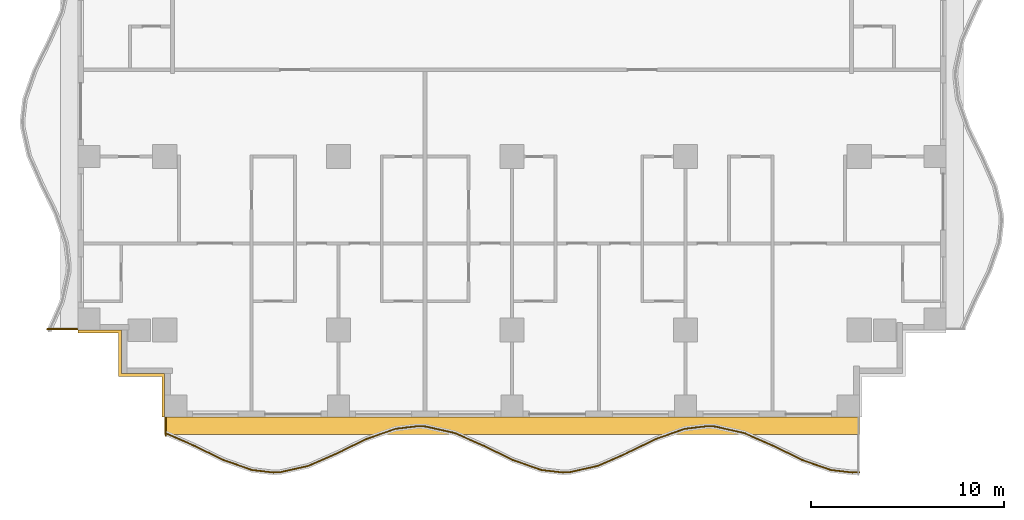
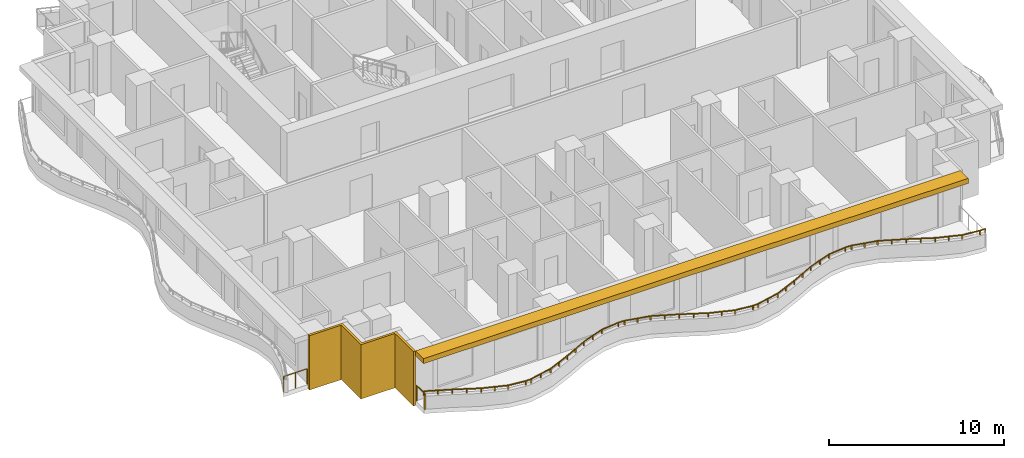
# One storey, part 7 of 10: 3 railings, 2 shading devices.
"""IFC4 building model written with IfcOpenShell, lengths in metres."""

import ifcopenshell
import ifcopenshell.guid

model = None  # the IFC model being written
_history = None  # IfcOwnerHistory: only IFC2X3 demands one
_inside = {}  # id of a spatial element -> (the spatial element, [elements in it])
_under = {}  # id of a project, library or spatial element -> (it, [spatial elements below it])
_declared = {}  # id of a project -> (the project, [libraries it declares])
_typed = {}  # id of a type object -> (the type object, [elements of that type])
_made_of = {}  # id of a material, layer set ... -> (it, [elements and type objects made of it])


def new_model(schema):
    """Start an empty IFC model of exactly this schema.

    Asked for "IFC4X3", IfcOpenShell would pick the latest addendum, in which some entities
    have other attributes; the version numbers below select the first issue.
    IFC2X3 requires an IfcOwnerHistory on every rooted entity: one is made here for all.
    """
    global model, _history
    if schema == "IFC4X3":
        model = ifcopenshell.file(schema_version=(4, 3, 0, 0))
    else:
        model = ifcopenshell.file(schema=schema)
    _inside.clear()
    _under.clear()
    _declared.clear()
    _typed.clear()
    _made_of.clear()
    _history = None
    if model.schema == "IFC2X3":
        org = make("IfcOrganization", Name="unknown")
        user = make(
            "IfcPersonAndOrganization",
            ThePerson=make("IfcPerson", FamilyName="unknown"),
            TheOrganization=org,
        )
        app = make(
            "IfcApplication",
            ApplicationDeveloper=org,
            Version="unknown",
            ApplicationFullName="unknown",
            ApplicationIdentifier="unknown",
        )
        _history = make(
            "IfcOwnerHistory",
            OwningUser=user,
            OwningApplication=app,
            ChangeAction="ADDED",
            CreationDate=0,
        )
    return model


def make(cls, **values):
    """One entity of the class cls with the attributes given. An attribute that is None is left unset."""
    return model.create_entity(
        cls, **{name: value for name, value in values.items() if value is not None}
    )


def rooted(cls, **values):
    """An entity with a GlobalId (a new one), such as an element, a storey or a relation."""
    return make(cls, GlobalId=ifcopenshell.guid.new(), OwnerHistory=_history, **values)


def si_unit(unit_type, name, prefix=None):
    """IfcSIUnit, for example si_unit("LENGTHUNIT", "METRE", prefix="MILLI")."""
    return make("IfcSIUnit", UnitType=unit_type, Prefix=prefix, Name=name)


def assignment(units):
    """IfcUnitAssignment: the units of a project."""
    return None if units is None else make("IfcUnitAssignment", Units=units)


def point(xyz):
    """IfcCartesianPoint."""
    return None if xyz is None else make("IfcCartesianPoint", Coordinates=xyz)


def direction(xyz):
    """IfcDirection."""
    return None if xyz is None else make("IfcDirection", DirectionRatios=xyz)


def frame(location, z_axis=None, x_axis=None):
    """IfcAxis2Placement3D, a coordinate frame: its origin and axes. An axis left out is left unset."""
    return make(
        "IfcAxis2Placement3D",
        Location=point(location),
        Axis=direction(z_axis),
        RefDirection=direction(x_axis),
    )


def frame_2d(location, x_axis=None):
    """IfcAxis2Placement2D, a coordinate frame in the plane: its origin and x axis."""
    return make(
        "IfcAxis2Placement2D", Location=point(location), RefDirection=direction(x_axis)
    )


def origin():
    """The frame at (0, 0, 0) with its axes left unset."""
    return frame((0.0, 0.0, 0.0))


def origin_2d():
    """The frame at (0, 0) in the plane with its x axis left unset."""
    return frame_2d((0.0, 0.0))


def place(relative_to, where):
    """IfcLocalPlacement: puts the frame where relative to a parent placement (None: the world)."""
    return make(
        "IfcLocalPlacement", PlacementRelTo=relative_to, RelativePlacement=where
    )


def context(
    kind, dimensions, precision=None, world=None, true_north=None, identifier=None
):
    """IfcGeometricRepresentationContext, for example the 3D "Model" context."""
    return make(
        "IfcGeometricRepresentationContext",
        ContextIdentifier=identifier,
        ContextType=kind,
        CoordinateSpaceDimension=dimensions,
        Precision=precision,
        WorldCoordinateSystem=world,
        TrueNorth=true_north,
    )


def subcontext(parent, identifier, kind, view, scale=None):
    """IfcGeometricRepresentationSubContext, for example "Body" below "Model"."""
    return make(
        "IfcGeometricRepresentationSubContext",
        ContextIdentifier=identifier,
        ContextType=kind,
        ParentContext=parent,
        TargetScale=scale,
        TargetView=view,
    )


def project(units=None, contexts=None):
    """IfcProject with its units and contexts."""
    return rooted(
        "IfcProject",
        Name="project",
        RepresentationContexts=contexts,
        UnitsInContext=assignment(units),
    )


def spatial(cls, under=None, at=None, **own):
    """A site, building, storey or space (cls), placed at a placement, below another one or the project."""
    s = rooted(cls, ObjectPlacement=at, **own)
    if under is not None:
        _under.setdefault(under.id(), (under, []))[1].append(s)
    return s


def polyline(points):
    """IfcPolyline through the points."""
    return make("IfcPolyline", Points=[point(p) for p in points])


def profile(cls, at=None, kind="AREA", **sizes):
    """A parametric profile (cls). Its sizes go by their IFC names, for example OverallWidth=200.0."""
    return make(cls, ProfileType=kind, Position=at, **sizes)


def rectangle(**sizes):
    """IfcRectangleProfileDef."""
    return profile("IfcRectangleProfileDef", **sizes)


def outline(outer, holes=None, kind="AREA"):
    """IfcArbitraryClosedProfileDef: a profile drawn as a closed curve; with holes, ...WithVoids."""
    if holes is None:
        return make("IfcArbitraryClosedProfileDef", ProfileType=kind, OuterCurve=outer)
    return make(
        "IfcArbitraryProfileDefWithVoids",
        ProfileType=kind,
        OuterCurve=outer,
        InnerCurves=holes,
    )


def extrude(swept, where, along, depth):
    """IfcExtrudedAreaSolid: the profile swept, set in the frame where, extruded along a direction by depth."""
    return make(
        "IfcExtrudedAreaSolid",
        SweptArea=swept,
        Position=where,
        ExtrudedDirection=direction(along),
        Depth=depth,
    )


def shape(context_of_items, identifier, shape_type, items):
    """IfcShapeRepresentation: the items that make up one representation, for example the "Body"."""
    return make(
        "IfcShapeRepresentation",
        ContextOfItems=context_of_items,
        RepresentationIdentifier=identifier,
        RepresentationType=shape_type,
        Items=items,
    )


def material(Name=None, Category=None):
    """IfcMaterial."""
    return make("IfcMaterial", Name=Name, Category=Category)


def layer(
    of_material, thickness, ventilated=None, Name=None, Category=None, Priority=None
):
    """IfcMaterialLayer: one layer of a wall or slab, of a material (None: an air gap)."""
    return make(
        "IfcMaterialLayer",
        Material=of_material,
        LayerThickness=thickness,
        IsVentilated=ventilated,
        Name=Name,
        Category=Category,
        Priority=Priority,
    )


def layer_set(layers, Name=None):
    """IfcMaterialLayerSet."""
    return make("IfcMaterialLayerSet", MaterialLayers=layers, LayerSetName=Name)


def made_of(thing, what):
    """Note that an element or type object is made of a material, layer set ...; save() writes the relation."""
    if what is not None:
        _made_of.setdefault(what.id(), (what, []))[1].append(thing)
    return thing


def type_object(cls, material=None, **own):
    """A type object (cls), such as IfcWallType, which elements share."""
    return made_of(rooted(cls, **own), material)


def element(
    cls,
    number,
    at=None,
    inside=None,
    cuts=None,
    type_object=None,
    material=None,
    context=None,
    identifier="Body",
    shape_type=None,
    held_by="IfcProductDefinitionShape",
    body=None,
    shapes=None,
    **own,
):
    """One element of the class cls, such as IfcWall. Its Tag is "e" and its number.

    at: its placement. inside: the storey or other place that contains it. cuts: it is an
    opening in that element (IfcRelVoidsElement). A single representation is given by context,
    identifier, shape_type and body (its items); several are given by shapes. held_by: the class
    of the entity that holds the representations. save() writes the other relations.
    """
    e = rooted(cls, Tag="e%d" % number, ObjectPlacement=at, **own)
    if body is not None:
        shapes = [shape(context, identifier, shape_type, body)]
    if shapes is not None:
        e.Representation = make(held_by, Representations=shapes)
    if inside is not None:
        _inside.setdefault(inside.id(), (inside, []))[1].append(e)
    if cuts is not None:
        rooted(
            "IfcRelVoidsElement", RelatingBuildingElement=cuts, RelatedOpeningElement=e
        )
    if type_object is not None:
        _typed.setdefault(type_object.id(), (type_object, []))[1].append(e)
    return made_of(e, material)


def aggregate(whole, parts):
    """IfcRelAggregates: a whole, such as a stair, and the parts it consists of."""
    return rooted("IfcRelAggregates", RelatingObject=whole, RelatedObjects=parts)


def save(model, path):
    """Write the relations noted so far, then the file.

    IfcRelAggregates (storeys below a building ...), IfcRelContainedInSpatialStructure (elements
    in a storey), IfcRelDefinesByType, IfcRelAssociatesMaterial and IfcRelDeclares: one each for
    every whole, place, type object, material and project.
    """
    for whole, parts in _under.values():
        aggregate(whole, parts)
    for where, things in _inside.values():
        rooted(
            "IfcRelContainedInSpatialStructure",
            RelatedElements=things,
            RelatingStructure=where,
        )
    for kind, things in _typed.values():
        rooted("IfcRelDefinesByType", RelatedObjects=things, RelatingType=kind)
    for what, things in _made_of.values():
        rooted("IfcRelAssociatesMaterial", RelatedObjects=things, RelatingMaterial=what)
    for by, libraries in _declared.values():
        rooted("IfcRelDeclares", RelatingContext=by, RelatedDefinitions=libraries)
    model.write(path)


model = new_model("IFC4")

# Units and contexts
model_context = context("Model", 3, precision=1e-05, world=origin(), true_north=direction((0.0, 1.0)))
body_context = subcontext(model_context, "Body", "Model", "MODEL_VIEW")
ifc_project = project(units=[si_unit("LENGTHUNIT", "METRE"), si_unit("AREAUNIT", "SQUARE_METRE"), si_unit("VOLUMEUNIT", "CUBIC_METRE"), si_unit("PLANEANGLEUNIT", "RADIAN"), si_unit("MASSUNIT", "GRAM", prefix="KILO")], contexts=[model_context])

# Site, building, storey
site_placement = place(None, origin())
site = spatial("IfcSite", under=ifc_project, at=site_placement, CompositionType="ELEMENT")
building_placement = place(site_placement, origin())
building = spatial("IfcBuilding", under=site, at=building_placement, Name="Orbiselva Terraces", CompositionType="ELEMENT")
storey_placement = place(building_placement, frame((0.0, 0.0, 140.2)))
storey = spatial("IfcBuildingStorey", under=building, at=storey_placement, Name="L35", CompositionType="ELEMENT", Elevation=140.2)

# Railings
ifc_material_1 = material(Name="Bonded two-ply safety glass balustrade, stainless steel posts", Category="steel")
railing_type_1 = type_object("IfcRailingType", Name="ENV-BALUSTRADE-1200", PredefinedType="BALUSTRADE", material=ifc_material_1)
railing_1_placement = place(storey_placement, frame((-17.949606, -18.83708, 0.9)))
element("IfcRailing", 1, at=railing_1_placement, inside=storey, type_object=railing_type_1, Name="Balcony balustrade L35 S", PredefinedType="BALUSTRADE", context=body_context, shape_type="SweptSolid", body=[
    extrude(outline(polyline([(0.028868, 0.0), (0.014434, 0.025), (-0.014434, 0.025), (-0.028868, 0.0), (-0.014434, -0.025), (0.014434, -0.025), (0.028868, 0.0)])), frame((0.0, 0.0, 0.275), z_axis=(0.915133394491, -0.403151175476, 0.0), x_axis=(0.403151175476, 0.915133394491, 0.0)), (0.0, 0.0, 1.0), 1.641563),
    extrude(outline(polyline([(0.028868, 0.0), (0.014434, 0.025), (-0.014434, 0.025), (-0.028868, 0.0), (-0.014434, -0.025), (0.014434, -0.025), (0.028868, 0.0)])), frame((1.502249, -0.661798, 0.275), z_axis=(0.89857890432, -0.438811978768, 0.0), x_axis=(0.438811978768, 0.89857890432, 0.0)), (0.0, 0.0, 1.0), 1.66438),
    extrude(outline(polyline([(0.028868, 0.0), (0.014434, 0.025), (-0.014434, 0.025), (-0.028868, 0.0), (-0.014434, -0.025), (0.014434, -0.025), (0.028868, 0.0)])), frame((2.997826, -1.392148, 0.275), z_axis=(0.943972277814, -0.330024754707, 0.0), x_axis=(0.330024754707, 0.943972277814, 0.0)), (0.0, 0.0, 1.0), 1.567807),
    extrude(outline(polyline([(0.028868, 0.0), (0.014434, 0.025), (-0.014434, 0.025), (-0.028868, 0.0), (-0.014434, -0.025), (0.014434, -0.025), (0.028868, 0.0)])), frame((4.477792, -1.909563, 0.275), z_axis=(0.993309658409, -0.115481264762, 0.0), x_axis=(0.115481264762, 0.993309658409, 0.0)), (0.0, 0.0, 1.0), 1.10902),
    extrude(outline(polyline([(0.028868, 0.0), (0.014434, 0.025), (-0.014434, 0.025), (-0.028868, 0.0), (-0.014434, -0.025), (0.014434, -0.025), (0.028868, 0.0)])), frame((5.579392, -2.037634, 0.275), z_axis=(0.999224931454, 0.039364150694, 0.0), x_axis=(-0.039364150694, 0.999224931454, 0.0)), (0.0, 0.0, 1.0), 0.354206),
    extrude(outline(polyline([(0.028868, 0.0), (0.014434, 0.025), (-0.014434, 0.025), (-0.028868, 0.0), (-0.014434, -0.025), (0.014434, -0.025), (0.028868, 0.0)])), frame((5.933323, -2.023691, 0.275), z_axis=(0.975721325753, 0.219015740235, 0.0), x_axis=(-0.219015740235, 0.975721325753, 0.0)), (0.0, 0.0, 1.0), 1.513782),
    extrude(outline(polyline([(0.028868, 0.0), (0.014434, 0.025), (-0.014434, 0.025), (-0.028868, 0.0), (-0.014434, -0.025), (0.014434, -0.025), (0.028868, 0.0)])), frame((7.410352, -1.692149, 0.275), z_axis=(0.915133363686, 0.403151245402, 0.0), x_axis=(-0.403151245402, 0.915133363686, 0.0)), (0.0, 0.0, 1.0), 1.624475),
    extrude(outline(polyline([(0.028868, 0.0), (0.014434, 0.025), (-0.014434, 0.025), (-0.028868, 0.0), (-0.014434, -0.025), (0.014434, -0.025), (0.028868, 0.0)])), frame((8.896963, -1.03724, 0.275), z_axis=(0.898578870221, 0.438812048596, 0.0), x_axis=(-0.438812048596, 0.898578870221, 0.0)), (0.0, 0.0, 1.0), 1.674225),
    extrude(outline(polyline([(0.028868, 0.0), (0.014434, 0.025), (-0.014434, 0.025), (-0.028868, 0.0), (-0.014434, -0.025), (0.014434, -0.025), (0.028868, 0.0)])), frame((10.401386, -0.30257, 0.275), z_axis=(0.943972332783, 0.330024597479, 0.0), x_axis=(-0.330024597479, 0.943972332783, 0.0)), (0.0, 0.0, 1.0), 1.610253),
    extrude(outline(polyline([(0.028868, 0.0), (0.014434, 0.025), (-0.014434, 0.025), (-0.028868, 0.0), (-0.014434, -0.025), (0.014434, -0.025), (0.028868, 0.0)])), frame((11.92142, 0.228853, 0.275), z_axis=(0.993309551734, 0.115482182324, 0.0), x_axis=(-0.115482182324, 0.993309551734, 0.0)), (0.0, 0.0, 1.0), 1.156135),
    extrude(outline(polyline([(0.028868, 0.0), (0.014434, 0.025), (-0.014434, 0.025), (-0.028868, 0.0), (-0.014434, -0.025), (0.014434, -0.025), (0.028868, 0.0)])), frame((13.06982, 0.362366, 0.275), z_axis=(0.999224734286, -0.03936915532, 0.0), x_axis=(0.03936915532, 0.999224734286, 0.0)), (0.0, 0.0, 1.0), 0.396376),
    extrude(outline(polyline([(0.028868, 0.0), (0.014434, 0.025), (-0.014434, 0.025), (-0.028868, 0.0), (-0.014434, -0.025), (0.014434, -0.025), (0.028868, 0.0)])), frame((13.465889, 0.346761, 0.275), z_axis=(0.97572137947, -0.219015500924, 0.0), x_axis=(0.219015500924, 0.97572137947, 0.0)), (0.0, 0.0, 1.0), 1.560867),
    extrude(outline(polyline([(0.028868, 0.0), (0.014434, 0.025), (-0.014434, 0.025), (-0.028868, 0.0), (-0.014434, -0.025), (0.014434, -0.025), (0.028868, 0.0)])), frame((14.98886, 0.004907, 0.275), z_axis=(0.915133527237, -0.403150874148, 0.0), x_axis=(0.403150874148, 0.915133527237, 0.0)), (0.0, 0.0, 1.0), 1.653736),
    extrude(outline(polyline([(0.028868, 0.0), (0.014434, 0.025), (-0.014434, 0.025), (-0.028868, 0.0), (-0.014434, -0.025), (0.014434, -0.025), (0.028868, 0.0)])), frame((16.502249, -0.661798, 0.275), z_axis=(0.89857890432, -0.438811978768, 0.0), x_axis=(0.438811978768, 0.89857890432, 0.0)), (0.0, 0.0, 1.0), 1.66438),
    extrude(outline(polyline([(0.028868, 0.0), (0.014434, 0.025), (-0.014434, 0.025), (-0.028868, 0.0), (-0.014434, -0.025), (0.014434, -0.025), (0.028868, 0.0)])), frame((17.997826, -1.392148, 0.275), z_axis=(0.943972277814, -0.330024754707, 0.0), x_axis=(0.330024754707, 0.943972277814, 0.0)), (0.0, 0.0, 1.0), 1.567807),
    extrude(outline(polyline([(0.028868, 0.0), (0.014434, 0.025), (-0.014434, 0.025), (-0.028868, 0.0), (-0.014434, -0.025), (0.014434, -0.025), (0.028868, 0.0)])), frame((19.477792, -1.909563, 0.275), z_axis=(0.993309658409, -0.115481264762, 0.0), x_axis=(0.115481264762, 0.993309658409, 0.0)), (0.0, 0.0, 1.0), 1.10902),
    extrude(outline(polyline([(0.028868, 0.0), (0.014434, 0.025), (-0.014434, 0.025), (-0.028868, 0.0), (-0.014434, -0.025), (0.014434, -0.025), (0.028868, 0.0)])), frame((20.579392, -2.037634, 0.275), z_axis=(0.999224931454, 0.039364150694, 0.0), x_axis=(-0.039364150694, 0.999224931454, 0.0)), (0.0, 0.0, 1.0), 0.354206),
    extrude(outline(polyline([(0.028868, 0.0), (0.014434, 0.025), (-0.014434, 0.025), (-0.028868, 0.0), (-0.014434, -0.025), (0.014434, -0.025), (0.028868, 0.0)])), frame((20.933323, -2.023691, 0.275), z_axis=(0.975721325753, 0.219015740235, 0.0), x_axis=(-0.219015740235, 0.975721325753, 0.0)), (0.0, 0.0, 1.0), 1.513782),
    extrude(outline(polyline([(0.028868, 0.0), (0.014434, 0.025), (-0.014434, 0.025), (-0.028868, 0.0), (-0.014434, -0.025), (0.014434, -0.025), (0.028868, 0.0)])), frame((22.410352, -1.692149, 0.275), z_axis=(0.915133363686, 0.403151245402, 0.0), x_axis=(-0.403151245402, 0.915133363686, 0.0)), (0.0, 0.0, 1.0), 1.624475),
    extrude(outline(polyline([(0.028868, 0.0), (0.014434, 0.025), (-0.014434, 0.025), (-0.028868, 0.0), (-0.014434, -0.025), (0.014434, -0.025), (0.028868, 0.0)])), frame((23.896963, -1.03724, 0.275), z_axis=(0.898578870221, 0.438812048596, 0.0), x_axis=(-0.438812048596, 0.898578870221, 0.0)), (0.0, 0.0, 1.0), 1.674225),
    extrude(outline(polyline([(0.028868, 0.0), (0.014434, 0.025), (-0.014434, 0.025), (-0.028868, 0.0), (-0.014434, -0.025), (0.014434, -0.025), (0.028868, 0.0)])), frame((25.401386, -0.30257, 0.275), z_axis=(0.943972332783, 0.330024597479, 0.0), x_axis=(-0.330024597479, 0.943972332783, 0.0)), (0.0, 0.0, 1.0), 1.610253),
    extrude(outline(polyline([(0.028868, 0.0), (0.014434, 0.025), (-0.014434, 0.025), (-0.028868, 0.0), (-0.014434, -0.025), (0.014434, -0.025), (0.028868, 0.0)])), frame((26.92142, 0.228853, 0.275), z_axis=(0.993309551734, 0.115482182324, 0.0), x_axis=(-0.115482182324, 0.993309551734, 0.0)), (0.0, 0.0, 1.0), 1.156135),
    extrude(outline(polyline([(0.028868, 0.0), (0.014434, 0.025), (-0.014434, 0.025), (-0.028868, 0.0), (-0.014434, -0.025), (0.014434, -0.025), (0.028868, 0.0)])), frame((28.06982, 0.362366, 0.275), z_axis=(0.999224734286, -0.03936915532, 0.0), x_axis=(0.03936915532, 0.999224734286, 0.0)), (0.0, 0.0, 1.0), 0.396376),
    extrude(outline(polyline([(0.028868, 0.0), (0.014434, 0.025), (-0.014434, 0.025), (-0.028868, 0.0), (-0.014434, -0.025), (0.014434, -0.025), (0.028868, 0.0)])), frame((28.465889, 0.346761, 0.275), z_axis=(0.97572137947, -0.219015500924, 0.0), x_axis=(0.219015500924, 0.97572137947, 0.0)), (0.0, 0.0, 1.0), 1.560867),
    extrude(outline(polyline([(0.028868, 0.0), (0.014434, 0.025), (-0.014434, 0.025), (-0.028868, 0.0), (-0.014434, -0.025), (0.014434, -0.025), (0.028868, 0.0)])), frame((29.98886, 0.004907, 0.275), z_axis=(0.915133527237, -0.403150874148, 0.0), x_axis=(0.403150874148, 0.915133527237, 0.0)), (0.0, 0.0, 1.0), 1.653736),
    extrude(outline(polyline([(0.028868, 0.0), (0.014434, 0.025), (-0.014434, 0.025), (-0.028868, 0.0), (-0.014434, -0.025), (0.014434, -0.025), (0.028868, 0.0)])), frame((31.502249, -0.661798, 0.275), z_axis=(0.89857890432, -0.438811978768, 0.0), x_axis=(0.438811978768, 0.89857890432, 0.0)), (0.0, 0.0, 1.0), 1.66438),
    extrude(outline(polyline([(0.028868, 0.0), (0.014434, 0.025), (-0.014434, 0.025), (-0.028868, 0.0), (-0.014434, -0.025), (0.014434, -0.025), (0.028868, 0.0)])), frame((32.997826, -1.392148, 0.275), z_axis=(0.943972277814, -0.330024754707, 0.0), x_axis=(0.330024754707, 0.943972277814, 0.0)), (0.0, 0.0, 1.0), 1.567807),
    extrude(outline(polyline([(0.028868, 0.0), (0.014434, 0.025), (-0.014434, 0.025), (-0.028868, 0.0), (-0.014434, -0.025), (0.014434, -0.025), (0.028868, 0.0)])), frame((34.477792, -1.909563, 0.275), z_axis=(0.993309658409, -0.115481264762, 0.0), x_axis=(0.115481264762, 0.993309658409, 0.0)), (0.0, 0.0, 1.0), 1.10902),
    extrude(outline(polyline([(0.028868, 0.0), (0.014434, 0.025), (-0.014434, 0.025), (-0.028868, 0.0), (-0.014434, -0.025), (0.014434, -0.025), (0.028868, 0.0)])), frame((35.579392, -2.037634, 0.275), z_axis=(0.999224888675, 0.039365236599, 0.0), x_axis=(-0.039365236599, 0.999224888675, 0.0)), (0.0, 0.0, 1.0), 0.365576),
    extrude(rectangle(XDim=0.05, YDim=0.05, at=origin_2d()), origin(), (0.0, 0.0, 1.0), 0.25),
    extrude(rectangle(XDim=0.05, YDim=0.05, at=origin_2d()), frame((0.751124, -0.330899, 0.0)), (0.0, 0.0, 1.0), 0.25),
    extrude(rectangle(XDim=0.05, YDim=0.05, at=origin_2d()), frame((1.502249, -0.661798, 0.0)), (0.0, 0.0, 1.0), 0.25),
    extrude(rectangle(XDim=0.05, YDim=0.05, at=origin_2d()), frame((2.250037, -1.026973, 0.0)), (0.0, 0.0, 1.0), 0.25),
    extrude(rectangle(XDim=0.05, YDim=0.05, at=origin_2d()), frame((2.997826, -1.392148, 0.0)), (0.0, 0.0, 1.0), 0.25),
    extrude(rectangle(XDim=0.05, YDim=0.05, at=origin_2d()), frame((3.737809, -1.650855, 0.0)), (0.0, 0.0, 1.0), 0.25),
    extrude(rectangle(XDim=0.05, YDim=0.05, at=origin_2d()), frame((4.477792, -1.909563, 0.0)), (0.0, 0.0, 1.0), 0.25),
    extrude(rectangle(XDim=0.05, YDim=0.05, at=origin_2d()), frame((5.579392, -2.037634, 0.0)), (0.0, 0.0, 1.0), 0.25),
    extrude(rectangle(XDim=0.05, YDim=0.05, at=origin_2d()), frame((5.933323, -2.023691, 0.0)), (0.0, 0.0, 1.0), 0.25),
    extrude(rectangle(XDim=0.05, YDim=0.05, at=origin_2d()), frame((6.671838, -1.85792, 0.0)), (0.0, 0.0, 1.0), 0.25),
    extrude(rectangle(XDim=0.05, YDim=0.05, at=origin_2d()), frame((7.410352, -1.692149, 0.0)), (0.0, 0.0, 1.0), 0.25),
    extrude(rectangle(XDim=0.05, YDim=0.05, at=origin_2d()), frame((8.153658, -1.364695, 0.0)), (0.0, 0.0, 1.0), 0.25),
    extrude(rectangle(XDim=0.05, YDim=0.05, at=origin_2d()), frame((8.896963, -1.03724, 0.0)), (0.0, 0.0, 1.0), 0.25),
    extrude(rectangle(XDim=0.05, YDim=0.05, at=origin_2d()), frame((9.649174, -0.669905, 0.0)), (0.0, 0.0, 1.0), 0.25),
    extrude(rectangle(XDim=0.05, YDim=0.05, at=origin_2d()), frame((10.401386, -0.30257, 0.0)), (0.0, 0.0, 1.0), 0.25),
    extrude(rectangle(XDim=0.05, YDim=0.05, at=origin_2d()), frame((11.161403, -0.036858, 0.0)), (0.0, 0.0, 1.0), 0.25),
    extrude(rectangle(XDim=0.05, YDim=0.05, at=origin_2d()), frame((11.92142, 0.228853, 0.0)), (0.0, 0.0, 1.0), 0.25),
    extrude(rectangle(XDim=0.05, YDim=0.05, at=origin_2d()), frame((13.06982, 0.362366, 0.0)), (0.0, 0.0, 1.0), 0.25),
    extrude(rectangle(XDim=0.05, YDim=0.05, at=origin_2d()), frame((13.465889, 0.346761, 0.0)), (0.0, 0.0, 1.0), 0.25),
    extrude(rectangle(XDim=0.05, YDim=0.05, at=origin_2d()), frame((14.227374, 0.175834, 0.0)), (0.0, 0.0, 1.0), 0.25),
    extrude(rectangle(XDim=0.05, YDim=0.05, at=origin_2d()), frame((14.98886, 0.004907, 0.0)), (0.0, 0.0, 1.0), 0.25),
    extrude(rectangle(XDim=0.05, YDim=0.05, at=origin_2d()), frame((15.745554, -0.328446, 0.0)), (0.0, 0.0, 1.0), 0.25),
    extrude(rectangle(XDim=0.05, YDim=0.05, at=origin_2d()), frame((16.502249, -0.661798, 0.0)), (0.0, 0.0, 1.0), 0.25),
    extrude(rectangle(XDim=0.05, YDim=0.05, at=origin_2d()), frame((17.250037, -1.026973, 0.0)), (0.0, 0.0, 1.0), 0.25),
    extrude(rectangle(XDim=0.05, YDim=0.05, at=origin_2d()), frame((17.997826, -1.392148, 0.0)), (0.0, 0.0, 1.0), 0.25),
    extrude(rectangle(XDim=0.05, YDim=0.05, at=origin_2d()), frame((18.737809, -1.650855, 0.0)), (0.0, 0.0, 1.0), 0.25),
    extrude(rectangle(XDim=0.05, YDim=0.05, at=origin_2d()), frame((19.477792, -1.909563, 0.0)), (0.0, 0.0, 1.0), 0.25),
    extrude(rectangle(XDim=0.05, YDim=0.05, at=origin_2d()), frame((20.579392, -2.037634, 0.0)), (0.0, 0.0, 1.0), 0.25),
    extrude(rectangle(XDim=0.05, YDim=0.05, at=origin_2d()), frame((20.933323, -2.023691, 0.0)), (0.0, 0.0, 1.0), 0.25),
    extrude(rectangle(XDim=0.05, YDim=0.05, at=origin_2d()), frame((21.671838, -1.85792, 0.0)), (0.0, 0.0, 1.0), 0.25),
    extrude(rectangle(XDim=0.05, YDim=0.05, at=origin_2d()), frame((22.410352, -1.692149, 0.0)), (0.0, 0.0, 1.0), 0.25),
    extrude(rectangle(XDim=0.05, YDim=0.05, at=origin_2d()), frame((23.153658, -1.364695, 0.0)), (0.0, 0.0, 1.0), 0.25),
    extrude(rectangle(XDim=0.05, YDim=0.05, at=origin_2d()), frame((23.896963, -1.03724, 0.0)), (0.0, 0.0, 1.0), 0.25),
    extrude(rectangle(XDim=0.05, YDim=0.05, at=origin_2d()), frame((24.649174, -0.669905, 0.0)), (0.0, 0.0, 1.0), 0.25),
    extrude(rectangle(XDim=0.05, YDim=0.05, at=origin_2d()), frame((25.401386, -0.30257, 0.0)), (0.0, 0.0, 1.0), 0.25),
    extrude(rectangle(XDim=0.05, YDim=0.05, at=origin_2d()), frame((26.161403, -0.036858, 0.0)), (0.0, 0.0, 1.0), 0.25),
    extrude(rectangle(XDim=0.05, YDim=0.05, at=origin_2d()), frame((26.92142, 0.228853, 0.0)), (0.0, 0.0, 1.0), 0.25),
    extrude(rectangle(XDim=0.05, YDim=0.05, at=origin_2d()), frame((28.06982, 0.362366, 0.0)), (0.0, 0.0, 1.0), 0.25),
    extrude(rectangle(XDim=0.05, YDim=0.05, at=origin_2d()), frame((28.465889, 0.346761, 0.0)), (0.0, 0.0, 1.0), 0.25),
    extrude(rectangle(XDim=0.05, YDim=0.05, at=origin_2d()), frame((29.227374, 0.175834, 0.0)), (0.0, 0.0, 1.0), 0.25),
    extrude(rectangle(XDim=0.05, YDim=0.05, at=origin_2d()), frame((29.98886, 0.004907, 0.0)), (0.0, 0.0, 1.0), 0.25),
    extrude(rectangle(XDim=0.05, YDim=0.05, at=origin_2d()), frame((30.745554, -0.328446, 0.0)), (0.0, 0.0, 1.0), 0.25),
    extrude(rectangle(XDim=0.05, YDim=0.05, at=origin_2d()), frame((31.502249, -0.661798, 0.0)), (0.0, 0.0, 1.0), 0.25),
    extrude(rectangle(XDim=0.05, YDim=0.05, at=origin_2d()), frame((32.250038, -1.026973, 0.0)), (0.0, 0.0, 1.0), 0.25),
    extrude(rectangle(XDim=0.05, YDim=0.05, at=origin_2d()), frame((32.997826, -1.392148, 0.0)), (0.0, 0.0, 1.0), 0.25),
    extrude(rectangle(XDim=0.05, YDim=0.05, at=origin_2d()), frame((33.737809, -1.650855, 0.0)), (0.0, 0.0, 1.0), 0.25),
    extrude(rectangle(XDim=0.05, YDim=0.05, at=origin_2d()), frame((34.477792, -1.909563, 0.0)), (0.0, 0.0, 1.0), 0.25),
    extrude(rectangle(XDim=0.05, YDim=0.05, at=origin_2d()), frame((35.579392, -2.037634, 0.0)), (0.0, 0.0, 1.0), 0.25),
    extrude(rectangle(XDim=0.05, YDim=0.05, at=origin_2d()), frame((35.944685, -2.023243, 0.0)), (0.0, 0.0, 1.0), 0.25),
])
ifc_material_2 = material(Name="Stainless steel rail and posts", Category="steel")
railing_type_2 = type_object("IfcRailingType", Name="ENV-GUARD-1105", PredefinedType="BALUSTRADE", material=ifc_material_2)
railing_2_placement = place(storey_placement, frame((-17.94, -18.973063, 0.0)))
element("IfcRailing", 2, at=railing_2_placement, inside=storey, type_object=railing_type_2, Name="Balcony end guard L35 S", PredefinedType="BALUSTRADE", context=body_context, shape_type="SweptSolid", body=[
    extrude(outline(polyline([(0.028868, 0.0), (0.014434, 0.025), (-0.014434, 0.025), (-0.028868, 0.0), (-0.014434, -0.025), (0.014434, -0.025), (0.028868, 0.0)])), frame((0.0, 0.0, 1.08), z_axis=(0.0, 1.0, 0.0), x_axis=(-1.0, 0.0, 0.0)), (0.0, 0.0, 1.0), 0.948063),
    extrude(rectangle(XDim=0.05, YDim=0.05, at=origin_2d()), origin(), (0.0, 0.0, 1.0), 1.055),
    extrude(rectangle(XDim=0.05, YDim=0.05, at=origin_2d()), frame((0.0, 0.948063, 0.0)), (0.0, 0.0, 1.0), 1.055),
])
railing_3_placement = place(storey_placement, frame((-24.082553, -13.44, 0.0)))
element("IfcRailing", 3, at=railing_3_placement, inside=storey, type_object=railing_type_2, Name="Balcony end guard L35 W", PredefinedType="BALUSTRADE", context=body_context, shape_type="SweptSolid", body=[
    extrude(outline(polyline([(0.028868, 0.0), (0.014434, 0.025), (-0.014434, 0.025), (-0.028868, 0.0), (-0.014434, -0.025), (0.014434, -0.025), (0.028868, 0.0)])), frame((0.0, 0.0, 1.08), z_axis=(1.0, 0.0, 0.0), x_axis=(0.0, 1.0, 0.0)), (0.0, 0.0, 1.0), 1.557553),
    extrude(rectangle(XDim=0.05, YDim=0.05, at=origin_2d()), origin(), (0.0, 0.0, 1.0), 1.055),
    extrude(rectangle(XDim=0.05, YDim=0.05, at=origin_2d()), frame((0.778777, 0.0, 0.0)), (0.0, 0.0, 1.0), 1.055),
    extrude(rectangle(XDim=0.05, YDim=0.05, at=origin_2d()), frame((1.557553, 0.0, 0.0)), (0.0, 0.0, 1.0), 1.055),
])

# Shading devices
ifc_material_3 = material(Name="Terracotta louvre screen", Category="masonry")
ifc_layer_1 = layer(ifc_material_3, 0.15)
ifc_layer_set_1 = layer_set([ifc_layer_1], Name="Terracotta louvre screen")
shading_device_type_1 = type_object("IfcShadingDeviceType", Name="ENV-SCREEN-150", PredefinedType="USERDEFINED", material=ifc_layer_set_1)
shading_device_1_placement = place(storey_placement, frame((0.0, 0.0, -0.3)))
element("IfcShadingDevice", 4, at=shading_device_1_placement, inside=storey, type_object=shading_device_type_1, Name="Louvre screen L35 SW", ObjectType="SCREEN", PredefinedType="USERDEFINED", context=body_context, shape_type="SweptSolid", body=[
    extrude(outline(polyline([(-22.5, -13.65), (-20.4, -13.65), (-20.4, -15.9), (-18.15, -15.9), (-18.15, -18.0), (-18.0, -18.0), (-18.0, -15.75), (-20.25, -15.75), (-20.25, -13.5), (-22.5, -13.5), (-22.5, -13.65)])), origin(), (0.0, 0.0, 1.0), 3.8),
])
ifc_material_4 = material(Name="Terracotta baguette sunshade", Category="masonry")
ifc_layer_2 = layer(ifc_material_4, 0.35)
ifc_layer_set_2 = layer_set([ifc_layer_2], Name="Terracotta baguette sunshade")
shading_device_type_2 = type_object("IfcShadingDeviceType", Name="ENV-SUNSHADE-900x350", PredefinedType="USERDEFINED", material=ifc_layer_set_2)
shading_device_2_placement = place(storey_placement, frame((0.0, 0.0, 3.15)))
element("IfcShadingDevice", 5, at=shading_device_2_placement, inside=storey, type_object=shading_device_type_2, Name="Sunshade band L35 S", ObjectType="SUNSHADE", PredefinedType="USERDEFINED", context=body_context, shape_type="SweptSolid", body=[
    extrude(outline(polyline([(-18.0, -18.9), (18.0, -18.9), (18.0, -18.0), (-18.0, -18.0), (-18.0, -18.9)])), origin(), (0.0, 0.0, 1.0), 0.35),
])

save(model, "model.ifc")
